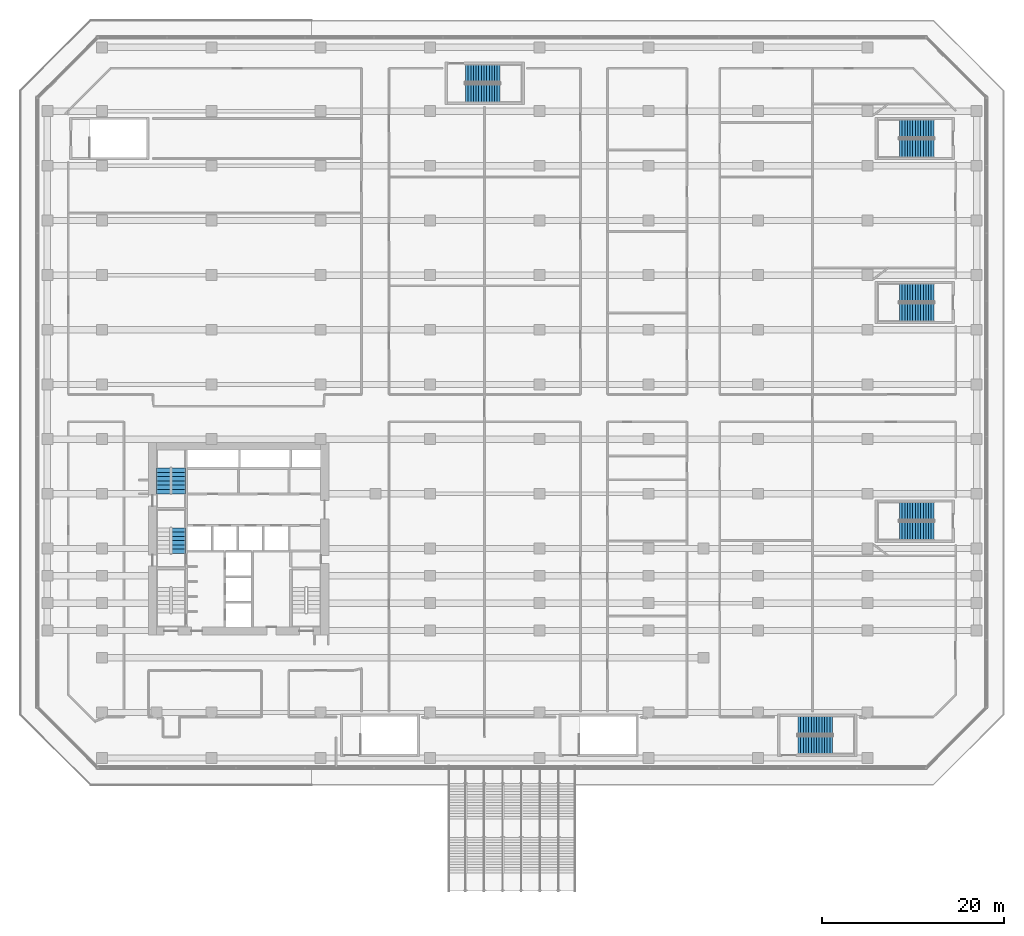
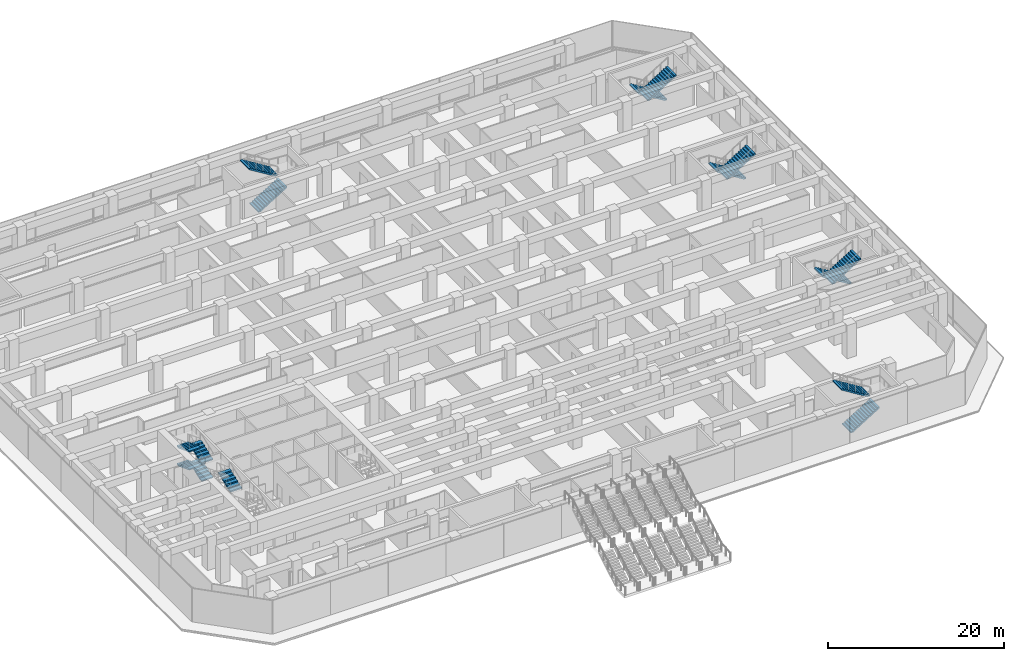
# One storey, part 34 of 40: 15 stair flights, 7 elements without a shape of their own.
"""IFC4 building model written with IfcOpenShell, lengths in metres."""

from ifc_helpers import new_model, si_unit, direction, frame, origin, place, context, subcontext, project, spatial, polyline, outline, extrude, material, type_object, element, aggregate, save


model = new_model("IFC4")

# Units and contexts
model_context = context("Model", 3, precision=1e-05, world=origin(), true_north=direction((0.0, 1.0)))
body_context = subcontext(model_context, "Body", "Model", "MODEL_VIEW")
ifc_project = project(units=[si_unit("LENGTHUNIT", "METRE"), si_unit("AREAUNIT", "SQUARE_METRE"), si_unit("VOLUMEUNIT", "CUBIC_METRE"), si_unit("PLANEANGLEUNIT", "RADIAN"), si_unit("MASSUNIT", "GRAM", prefix="KILO")], contexts=[model_context])

# Site, building, storey
site_placement = place(None, origin())
site = spatial("IfcSite", under=ifc_project, at=site_placement, CompositionType="ELEMENT")
building_placement = place(site_placement, origin())
building = spatial("IfcBuilding", under=site, at=building_placement, Name="Welwitschia Terrace Campus", CompositionType="ELEMENT")
storey_placement = place(building_placement, frame((0.0, 0.0, 6.0)))
storey = spatial("IfcBuildingStorey", under=building, at=storey_placement, Name="L01", CompositionType="ELEMENT", Elevation=6.0)

# Stair, stair flight
ifc_material_1 = material(Name="Concrete C40/50", Category="concrete")
stair_type_1 = type_object("IfcStairType", Name="Stair 28R 179 W1500", PredefinedType="HALF_TURN_STAIR", material=ifc_material_1)
stair_1_placement = place(storey_placement, origin())
stair_1 = element("IfcStair", 1, at=stair_1_placement, inside=storey, type_object=stair_type_1, Name="L01 Exit stair S3", PredefinedType="HALF_TURN_STAIR")
ifc_material_2 = material(Name="Concrete C40/50", Category="concrete")
stair_flight_type_1 = type_object("IfcStairFlightType", Name="Stair flight 28R 179 W1500", PredefinedType="STRAIGHT", material=ifc_material_2)
stair_flight_1_placement = place(storey_placement, frame((8.39990234375, 13.449951171875, 2.5), z_axis=(0.0, 0.0, 1.0), x_axis=(0.0, 1.0, 0.0)))
stair_flight_1 = element("IfcStairFlight", 2, at=stair_flight_1_placement, type_object=stair_flight_type_1, Name="S3 flight 3", NumberOfRisers=7, NumberOfTreads=6, PredefinedType="STRAIGHT", RiserHeight=0.178571429, TreadLength=0.47, context=body_context, shape_type="SweptSolid", body=[
    extrude(outline(polyline([(0.0, 0.0), (0.0, 0.178466796875), (0.469970703125, 0.178466796875), (0.469970703125, 0.357177734375), (0.93994140625, 0.357177734375), (0.93994140625, 0.53564453125), (1.409912109375, 0.53564453125), (1.409912109375, 0.71435546875), (1.8798828125, 0.71435546875), (1.8798828125, 0.892822265625), (2.35009765625, 0.892822265625), (2.35009765625, 1.071533203125), (2.820068359375, 1.071533203125), (2.820068359375, 1.25), (2.820068359375, 0.9111328125), (0.422119140625, 0.0), (0.0, 0.0)])), frame((0.0, 0.75, 0.0), z_axis=(0.0, -1.0, 0.0), x_axis=(1.0, 0.0, 0.0)), (0.0, 0.0, 1.0), 1.5),
])
aggregate(stair_1, [stair_flight_1])

# Stair, stair flights
stair_2_placement = place(storey_placement, origin())
stair_2 = element("IfcStair", 3, at=stair_2_placement, inside=storey, type_object=stair_type_1, Name="L01 Exit stair S4", PredefinedType="HALF_TURN_STAIR")
stair_flight_2_placement = place(storey_placement, frame((8.39990234375, 20.0, 0.0), z_axis=(0.0, 0.0, 1.0), x_axis=(0.0, 1.0, 0.0)))
stair_flight_2 = element("IfcStairFlight", 4, at=stair_flight_2_placement, type_object=stair_flight_type_1, Name="S4 flight 1", NumberOfRisers=7, NumberOfTreads=6, PredefinedType="STRAIGHT", RiserHeight=0.178571429, TreadLength=0.47, context=body_context, shape_type="SweptSolid", body=[
    extrude(outline(polyline([(0.0, 0.0), (0.0, 0.178466796875), (0.469970703125, 0.178466796875), (0.469970703125, 0.357177734375), (0.93994140625, 0.357177734375), (0.93994140625, 0.53564453125), (1.409912109375, 0.53564453125), (1.409912109375, 0.71435546875), (1.8798828125, 0.71435546875), (1.8798828125, 0.892822265625), (2.35009765625, 0.892822265625), (2.35009765625, 1.071533203125), (2.820068359375, 1.071533203125), (2.820068359375, 1.25), (2.820068359375, 0.9111328125), (0.422119140625, 0.0), (0.0, 0.0)])), frame((0.0, 0.75, 0.0), z_axis=(0.0, -1.0, 0.0), x_axis=(1.0, 0.0, 0.0)), (0.0, 0.0, 1.0), 1.5),
])
stair_flight_3_placement = place(storey_placement, frame((6.75, 22.820068359375, 1.25), z_axis=(0.0, 0.0, 1.0), x_axis=(0.0, -1.0, 0.0)))
stair_flight_3 = element("IfcStairFlight", 5, at=stair_flight_3_placement, type_object=stair_flight_type_1, Name="S4 flight 2", NumberOfRisers=7, NumberOfTreads=6, PredefinedType="STRAIGHT", RiserHeight=0.178571429, TreadLength=0.47, context=body_context, shape_type="SweptSolid", body=[
    extrude(outline(polyline([(0.0, 0.0), (0.0, 0.178466796875), (0.469970703125, 0.178466796875), (0.469970703125, 0.357177734375), (0.93994140625, 0.357177734375), (0.93994140625, 0.53564453125), (1.409912109375, 0.53564453125), (1.409912109375, 0.71435546875), (1.8798828125, 0.71435546875), (1.8798828125, 0.892822265625), (2.35009765625, 0.892822265625), (2.35009765625, 1.071533203125), (2.820068359375, 1.071533203125), (2.820068359375, 1.25), (2.820068359375, 0.9111328125), (0.422119140625, 0.0), (0.0, 0.0)])), frame((0.0, 0.75, 0.0), z_axis=(0.0, -1.0, 0.0), x_axis=(1.0, 0.0, 0.0)), (0.0, 0.0, 1.0), 1.5),
])
stair_flight_4_placement = place(storey_placement, frame((8.39990234375, 20.0, 2.5), z_axis=(0.0, 0.0, 1.0), x_axis=(0.0, 1.0, 0.0)))
stair_flight_4 = element("IfcStairFlight", 6, at=stair_flight_4_placement, type_object=stair_flight_type_1, Name="S4 flight 3", NumberOfRisers=7, NumberOfTreads=6, PredefinedType="STRAIGHT", RiserHeight=0.178571429, TreadLength=0.47, context=body_context, shape_type="SweptSolid", body=[
    extrude(outline(polyline([(0.0, 0.0), (0.0, 0.178466796875), (0.469970703125, 0.178466796875), (0.469970703125, 0.357177734375), (0.93994140625, 0.357177734375), (0.93994140625, 0.53564453125), (1.409912109375, 0.53564453125), (1.409912109375, 0.71435546875), (1.8798828125, 0.71435546875), (1.8798828125, 0.892822265625), (2.35009765625, 0.892822265625), (2.35009765625, 1.071533203125), (2.820068359375, 1.071533203125), (2.820068359375, 1.25), (2.820068359375, 0.9111328125), (0.422119140625, 0.0), (0.0, 0.0)])), frame((0.0, 0.75, 0.0), z_axis=(0.0, -1.0, 0.0), x_axis=(1.0, 0.0, 0.0)), (0.0, 0.0, 1.0), 1.5),
])
stair_flight_5_placement = place(storey_placement, frame((6.75, 22.820068359375, 3.75), z_axis=(0.0, 0.0, 1.0), x_axis=(0.0, -1.0, 0.0)))
stair_flight_5 = element("IfcStairFlight", 7, at=stair_flight_5_placement, type_object=stair_flight_type_1, Name="S4 flight 4", NumberOfRisers=7, NumberOfTreads=6, PredefinedType="STRAIGHT", RiserHeight=0.178571429, TreadLength=0.47, context=body_context, shape_type="SweptSolid", body=[
    extrude(outline(polyline([(0.0, 0.0), (0.0, 0.178466796875), (0.469970703125, 0.178466796875), (0.469970703125, 0.357177734375), (0.93994140625, 0.357177734375), (0.93994140625, 0.53564453125), (1.409912109375, 0.53564453125), (1.409912109375, 0.71435546875), (1.8798828125, 0.71435546875), (1.8798828125, 0.892822265625), (2.35009765625, 0.892822265625), (2.35009765625, 1.071533203125), (2.820068359375, 1.071533203125), (2.820068359375, 1.25), (2.820068359375, 0.9111328125), (0.422119140625, 0.0), (0.0, 0.0)])), frame((0.0, 0.75, 0.0), z_axis=(0.0, -1.0, 0.0), x_axis=(1.0, 0.0, 0.0)), (0.0, 0.0, 1.0), 1.5),
])
aggregate(stair_2, [stair_flight_2, stair_flight_3, stair_flight_4, stair_flight_5])

ifc_material_3 = material(Name="Concrete C40/50", Category="concrete")
stair_type_2 = type_object("IfcStairType", Name="Stair 28R 179 W2000", PredefinedType="HALF_TURN_STAIR", material=ifc_material_3)
stair_3_placement = place(storey_placement, origin())
stair_3 = element("IfcStair", 8, at=stair_3_placement, inside=storey, type_object=stair_type_2, Name="L01 Podium stair P3", PredefinedType="HALF_TURN_STAIR")
ifc_material_4 = material(Name="Concrete C40/50", Category="concrete")
stair_flight_type_2 = type_object("IfcStairFlightType", Name="Stair flight 28R 179 W2000", PredefinedType="STRAIGHT", material=ifc_material_4)
stair_flight_6_placement = place(storey_placement, frame((91.300048828125, 60.074951171875, 0.0), z_axis=(0.0, 0.0, 1.0), x_axis=(-1.0, 0.0, 0.0)))
stair_flight_6 = element("IfcStairFlight", 9, at=stair_flight_6_placement, type_object=stair_flight_type_2, Name="P3 flight 1", NumberOfRisers=14, NumberOfTreads=13, PredefinedType="STRAIGHT", RiserHeight=0.178571429, TreadLength=0.29, context=body_context, shape_type="SweptSolid", body=[
    extrude(outline(polyline([(0.0, 0.0), (0.0, 0.178466796875), (0.2900390625, 0.178466796875), (0.2900390625, 0.357177734375), (0.580078125, 0.357177734375), (0.580078125, 0.53564453125), (0.8701171875, 0.53564453125), (0.8701171875, 0.71435546875), (1.159912109375, 0.71435546875), (1.159912109375, 0.892822265625), (1.449951171875, 0.892822265625), (1.449951171875, 1.071533203125), (1.739990234375, 1.071533203125), (1.739990234375, 1.25), (2.030029296875, 1.25), (2.030029296875, 1.428466796875), (2.320068359375, 1.428466796875), (2.320068359375, 1.607177734375), (2.610107421875, 1.607177734375), (2.610107421875, 1.78564453125), (2.89990234375, 1.78564453125), (2.89990234375, 1.96435546875), (3.18994140625, 1.96435546875), (3.18994140625, 2.142822265625), (3.47998046875, 2.142822265625), (3.47998046875, 2.321533203125), (3.77001953125, 2.321533203125), (3.77001953125, 2.5), (3.77001953125, 2.1455078125), (0.285888671875, 0.0), (0.0, 0.0)])), frame((0.0, 1.0, 0.0), z_axis=(0.0, -1.0, 0.0), x_axis=(1.0, 0.0, 0.0)), (0.0, 0.0, 1.0), 2.0),
])
stair_flight_7_placement = place(storey_placement, frame((87.530029296875, 57.925048828125, 2.5), z_axis=(0.0, 0.0, 1.0), x_axis=(1.0, 0.0, 0.0)))
stair_flight_7 = element("IfcStairFlight", 10, at=stair_flight_7_placement, type_object=stair_flight_type_2, Name="P3 flight 2", NumberOfRisers=14, NumberOfTreads=13, PredefinedType="STRAIGHT", RiserHeight=0.178571429, TreadLength=0.29, context=body_context, shape_type="SweptSolid", body=[
    extrude(outline(polyline([(0.0, 0.0), (0.0, 0.178466796875), (0.2900390625, 0.178466796875), (0.2900390625, 0.357177734375), (0.580078125, 0.357177734375), (0.580078125, 0.53564453125), (0.8701171875, 0.53564453125), (0.8701171875, 0.71435546875), (1.159912109375, 0.71435546875), (1.159912109375, 0.892822265625), (1.449951171875, 0.892822265625), (1.449951171875, 1.071533203125), (1.739990234375, 1.071533203125), (1.739990234375, 1.25), (2.030029296875, 1.25), (2.030029296875, 1.428466796875), (2.320068359375, 1.428466796875), (2.320068359375, 1.607177734375), (2.610107421875, 1.607177734375), (2.610107421875, 1.78564453125), (2.89990234375, 1.78564453125), (2.89990234375, 1.96435546875), (3.18994140625, 1.96435546875), (3.18994140625, 2.142822265625), (3.47998046875, 2.142822265625), (3.47998046875, 2.321533203125), (3.77001953125, 2.321533203125), (3.77001953125, 2.5), (3.77001953125, 2.1455078125), (0.285888671875, 0.0), (0.0, 0.0)])), frame((0.0, 1.0, 0.0), z_axis=(0.0, -1.0, 0.0), x_axis=(1.0, 0.0, 0.0)), (0.0, 0.0, 1.0), 2.0),
])
aggregate(stair_3, [stair_flight_6, stair_flight_7])

stair_4_placement = place(storey_placement, origin())
stair_4 = element("IfcStair", 11, at=stair_4_placement, inside=storey, type_object=stair_type_2, Name="L01 Podium stair P5", PredefinedType="HALF_TURN_STAIR")
stair_flight_8_placement = place(storey_placement, frame((76.39990234375, -7.574951171875, 0.0), z_axis=(0.0, 0.0, 1.0), x_axis=(1.0, 0.0, 0.0)))
stair_flight_8 = element("IfcStairFlight", 12, at=stair_flight_8_placement, type_object=stair_flight_type_2, Name="P5 flight 1", NumberOfRisers=14, NumberOfTreads=13, PredefinedType="STRAIGHT", RiserHeight=0.178571429, TreadLength=0.29, context=body_context, shape_type="SweptSolid", body=[
    extrude(outline(polyline([(0.0, 0.0), (0.0, 0.178466796875), (0.2900390625, 0.178466796875), (0.2900390625, 0.357177734375), (0.580078125, 0.357177734375), (0.580078125, 0.53564453125), (0.8701171875, 0.53564453125), (0.8701171875, 0.71435546875), (1.159912109375, 0.71435546875), (1.159912109375, 0.892822265625), (1.449951171875, 0.892822265625), (1.449951171875, 1.071533203125), (1.739990234375, 1.071533203125), (1.739990234375, 1.25), (2.030029296875, 1.25), (2.030029296875, 1.428466796875), (2.320068359375, 1.428466796875), (2.320068359375, 1.607177734375), (2.610107421875, 1.607177734375), (2.610107421875, 1.78564453125), (2.89990234375, 1.78564453125), (2.89990234375, 1.96435546875), (3.18994140625, 1.96435546875), (3.18994140625, 2.142822265625), (3.47998046875, 2.142822265625), (3.47998046875, 2.321533203125), (3.77001953125, 2.321533203125), (3.77001953125, 2.5), (3.77001953125, 2.1455078125), (0.285888671875, 0.0), (0.0, 0.0)])), frame((0.0, 1.0, 0.0), z_axis=(0.0, -1.0, 0.0), x_axis=(1.0, 0.0, 0.0)), (0.0, 0.0, 1.0), 2.0),
])
stair_flight_9_placement = place(storey_placement, frame((80.169921875, -5.425048828125, 2.5), z_axis=(0.0, 0.0, 1.0), x_axis=(-1.0, 0.0, 0.0)))
stair_flight_9 = element("IfcStairFlight", 13, at=stair_flight_9_placement, type_object=stair_flight_type_2, Name="P5 flight 2", NumberOfRisers=14, NumberOfTreads=13, PredefinedType="STRAIGHT", RiserHeight=0.178571429, TreadLength=0.29, context=body_context, shape_type="SweptSolid", body=[
    extrude(outline(polyline([(0.0, 0.0), (0.0, 0.178466796875), (0.2900390625, 0.178466796875), (0.2900390625, 0.357177734375), (0.580078125, 0.357177734375), (0.580078125, 0.53564453125), (0.8701171875, 0.53564453125), (0.8701171875, 0.71435546875), (1.159912109375, 0.71435546875), (1.159912109375, 0.892822265625), (1.449951171875, 0.892822265625), (1.449951171875, 1.071533203125), (1.739990234375, 1.071533203125), (1.739990234375, 1.25), (2.030029296875, 1.25), (2.030029296875, 1.428466796875), (2.320068359375, 1.428466796875), (2.320068359375, 1.607177734375), (2.610107421875, 1.607177734375), (2.610107421875, 1.78564453125), (2.89990234375, 1.78564453125), (2.89990234375, 1.96435546875), (3.18994140625, 1.96435546875), (3.18994140625, 2.142822265625), (3.47998046875, 2.142822265625), (3.47998046875, 2.321533203125), (3.77001953125, 2.321533203125), (3.77001953125, 2.5), (3.77001953125, 2.1455078125), (0.285888671875, 0.0), (0.0, 0.0)])), frame((0.0, 1.0, 0.0), z_axis=(0.0, -1.0, 0.0), x_axis=(1.0, 0.0, 0.0)), (0.0, 0.0, 1.0), 2.0),
])
aggregate(stair_4, [stair_flight_8, stair_flight_9])

stair_5_placement = place(storey_placement, origin())
stair_5 = element("IfcStair", 14, at=stair_5_placement, inside=storey, type_object=stair_type_2, Name="L01 Podium stair P6", PredefinedType="HALF_TURN_STAIR")
stair_flight_10_placement = place(storey_placement, frame((91.300048828125, 18.074951171875, 0.0), z_axis=(0.0, 0.0, 1.0), x_axis=(-1.0, 0.0, 0.0)))
stair_flight_10 = element("IfcStairFlight", 15, at=stair_flight_10_placement, type_object=stair_flight_type_2, Name="P6 flight 1", NumberOfRisers=14, NumberOfTreads=13, PredefinedType="STRAIGHT", RiserHeight=0.178571429, TreadLength=0.29, context=body_context, shape_type="SweptSolid", body=[
    extrude(outline(polyline([(0.0, 0.0), (0.0, 0.178466796875), (0.2900390625, 0.178466796875), (0.2900390625, 0.357177734375), (0.580078125, 0.357177734375), (0.580078125, 0.53564453125), (0.8701171875, 0.53564453125), (0.8701171875, 0.71435546875), (1.159912109375, 0.71435546875), (1.159912109375, 0.892822265625), (1.449951171875, 0.892822265625), (1.449951171875, 1.071533203125), (1.739990234375, 1.071533203125), (1.739990234375, 1.25), (2.030029296875, 1.25), (2.030029296875, 1.428466796875), (2.320068359375, 1.428466796875), (2.320068359375, 1.607177734375), (2.610107421875, 1.607177734375), (2.610107421875, 1.78564453125), (2.89990234375, 1.78564453125), (2.89990234375, 1.96435546875), (3.18994140625, 1.96435546875), (3.18994140625, 2.142822265625), (3.47998046875, 2.142822265625), (3.47998046875, 2.321533203125), (3.77001953125, 2.321533203125), (3.77001953125, 2.5), (3.77001953125, 2.1455078125), (0.285888671875, 0.0), (0.0, 0.0)])), frame((0.0, 1.0, 0.0), z_axis=(0.0, -1.0, 0.0), x_axis=(1.0, 0.0, 0.0)), (0.0, 0.0, 1.0), 2.0),
])
stair_flight_11_placement = place(storey_placement, frame((87.530029296875, 15.925048828125, 2.5), z_axis=(0.0, 0.0, 1.0), x_axis=(1.0, 0.0, 0.0)))
stair_flight_11 = element("IfcStairFlight", 16, at=stair_flight_11_placement, type_object=stair_flight_type_2, Name="P6 flight 2", NumberOfRisers=14, NumberOfTreads=13, PredefinedType="STRAIGHT", RiserHeight=0.178571429, TreadLength=0.29, context=body_context, shape_type="SweptSolid", body=[
    extrude(outline(polyline([(0.0, 0.0), (0.0, 0.178466796875), (0.2900390625, 0.178466796875), (0.2900390625, 0.357177734375), (0.580078125, 0.357177734375), (0.580078125, 0.53564453125), (0.8701171875, 0.53564453125), (0.8701171875, 0.71435546875), (1.159912109375, 0.71435546875), (1.159912109375, 0.892822265625), (1.449951171875, 0.892822265625), (1.449951171875, 1.071533203125), (1.739990234375, 1.071533203125), (1.739990234375, 1.25), (2.030029296875, 1.25), (2.030029296875, 1.428466796875), (2.320068359375, 1.428466796875), (2.320068359375, 1.607177734375), (2.610107421875, 1.607177734375), (2.610107421875, 1.78564453125), (2.89990234375, 1.78564453125), (2.89990234375, 1.96435546875), (3.18994140625, 1.96435546875), (3.18994140625, 2.142822265625), (3.47998046875, 2.142822265625), (3.47998046875, 2.321533203125), (3.77001953125, 2.321533203125), (3.77001953125, 2.5), (3.77001953125, 2.1455078125), (0.285888671875, 0.0), (0.0, 0.0)])), frame((0.0, 1.0, 0.0), z_axis=(0.0, -1.0, 0.0), x_axis=(1.0, 0.0, 0.0)), (0.0, 0.0, 1.0), 2.0),
])
aggregate(stair_5, [stair_flight_10, stair_flight_11])

stair_6_placement = place(storey_placement, origin())
stair_6 = element("IfcStair", 17, at=stair_6_placement, inside=storey, type_object=stair_type_2, Name="L01 Podium stair P7", PredefinedType="HALF_TURN_STAIR")
stair_flight_12_placement = place(storey_placement, frame((39.89990234375, 63.97509765625, 0.0), z_axis=(0.0, 0.0, 1.0), x_axis=(1.0, 0.0, 0.0)))
stair_flight_12 = element("IfcStairFlight", 18, at=stair_flight_12_placement, type_object=stair_flight_type_2, Name="P7 flight 1", NumberOfRisers=14, NumberOfTreads=13, PredefinedType="STRAIGHT", RiserHeight=0.178571429, TreadLength=0.29, context=body_context, shape_type="SweptSolid", body=[
    extrude(outline(polyline([(0.0, 0.0), (0.0, 0.178466796875), (0.2900390625, 0.178466796875), (0.2900390625, 0.357177734375), (0.580078125, 0.357177734375), (0.580078125, 0.53564453125), (0.8701171875, 0.53564453125), (0.8701171875, 0.71435546875), (1.159912109375, 0.71435546875), (1.159912109375, 0.892822265625), (1.449951171875, 0.892822265625), (1.449951171875, 1.071533203125), (1.739990234375, 1.071533203125), (1.739990234375, 1.25), (2.030029296875, 1.25), (2.030029296875, 1.428466796875), (2.320068359375, 1.428466796875), (2.320068359375, 1.607177734375), (2.610107421875, 1.607177734375), (2.610107421875, 1.78564453125), (2.89990234375, 1.78564453125), (2.89990234375, 1.96435546875), (3.18994140625, 1.96435546875), (3.18994140625, 2.142822265625), (3.47998046875, 2.142822265625), (3.47998046875, 2.321533203125), (3.77001953125, 2.321533203125), (3.77001953125, 2.5), (3.77001953125, 2.1455078125), (0.285888671875, 0.0), (0.0, 0.0)])), frame((0.0, 1.0, 0.0), z_axis=(0.0, -1.0, 0.0), x_axis=(1.0, 0.0, 0.0)), (0.0, 0.0, 1.0), 2.0),
])
stair_flight_13_placement = place(storey_placement, frame((43.669921875, 66.125, 2.5), z_axis=(0.0, 0.0, 1.0), x_axis=(-1.0, 0.0, 0.0)))
stair_flight_13 = element("IfcStairFlight", 19, at=stair_flight_13_placement, type_object=stair_flight_type_2, Name="P7 flight 2", NumberOfRisers=14, NumberOfTreads=13, PredefinedType="STRAIGHT", RiserHeight=0.178571429, TreadLength=0.29, context=body_context, shape_type="SweptSolid", body=[
    extrude(outline(polyline([(0.0, 0.0), (0.0, 0.178466796875), (0.2900390625, 0.178466796875), (0.2900390625, 0.357177734375), (0.580078125, 0.357177734375), (0.580078125, 0.53564453125), (0.8701171875, 0.53564453125), (0.8701171875, 0.71435546875), (1.159912109375, 0.71435546875), (1.159912109375, 0.892822265625), (1.449951171875, 0.892822265625), (1.449951171875, 1.071533203125), (1.739990234375, 1.071533203125), (1.739990234375, 1.25), (2.030029296875, 1.25), (2.030029296875, 1.428466796875), (2.320068359375, 1.428466796875), (2.320068359375, 1.607177734375), (2.610107421875, 1.607177734375), (2.610107421875, 1.78564453125), (2.89990234375, 1.78564453125), (2.89990234375, 1.96435546875), (3.18994140625, 1.96435546875), (3.18994140625, 2.142822265625), (3.47998046875, 2.142822265625), (3.47998046875, 2.321533203125), (3.77001953125, 2.321533203125), (3.77001953125, 2.5), (3.77001953125, 2.1455078125), (0.285888671875, 0.0), (0.0, 0.0)])), frame((0.0, 1.0, 0.0), z_axis=(0.0, -1.0, 0.0), x_axis=(1.0, 0.0, 0.0)), (0.0, 0.0, 1.0), 2.0),
])
aggregate(stair_6, [stair_flight_12, stair_flight_13])

stair_7_placement = place(storey_placement, origin())
stair_7 = element("IfcStair", 20, at=stair_7_placement, inside=storey, type_object=stair_type_2, Name="L01 Podium stair P8", PredefinedType="HALF_TURN_STAIR")
stair_flight_14_placement = place(storey_placement, frame((91.300048828125, 42.074951171875, 0.0), z_axis=(0.0, 0.0, 1.0), x_axis=(-1.0, 0.0, 0.0)))
stair_flight_14 = element("IfcStairFlight", 21, at=stair_flight_14_placement, type_object=stair_flight_type_2, Name="P8 flight 1", NumberOfRisers=14, NumberOfTreads=13, PredefinedType="STRAIGHT", RiserHeight=0.178571429, TreadLength=0.29, context=body_context, shape_type="SweptSolid", body=[
    extrude(outline(polyline([(0.0, 0.0), (0.0, 0.178466796875), (0.2900390625, 0.178466796875), (0.2900390625, 0.357177734375), (0.580078125, 0.357177734375), (0.580078125, 0.53564453125), (0.8701171875, 0.53564453125), (0.8701171875, 0.71435546875), (1.159912109375, 0.71435546875), (1.159912109375, 0.892822265625), (1.449951171875, 0.892822265625), (1.449951171875, 1.071533203125), (1.739990234375, 1.071533203125), (1.739990234375, 1.25), (2.030029296875, 1.25), (2.030029296875, 1.428466796875), (2.320068359375, 1.428466796875), (2.320068359375, 1.607177734375), (2.610107421875, 1.607177734375), (2.610107421875, 1.78564453125), (2.89990234375, 1.78564453125), (2.89990234375, 1.96435546875), (3.18994140625, 1.96435546875), (3.18994140625, 2.142822265625), (3.47998046875, 2.142822265625), (3.47998046875, 2.321533203125), (3.77001953125, 2.321533203125), (3.77001953125, 2.5), (3.77001953125, 2.1455078125), (0.285888671875, 0.0), (0.0, 0.0)])), frame((0.0, 1.0, 0.0), z_axis=(0.0, -1.0, 0.0), x_axis=(1.0, 0.0, 0.0)), (0.0, 0.0, 1.0), 2.0),
])
stair_flight_15_placement = place(storey_placement, frame((87.530029296875, 39.925048828125, 2.5), z_axis=(0.0, 0.0, 1.0), x_axis=(1.0, 0.0, 0.0)))
stair_flight_15 = element("IfcStairFlight", 22, at=stair_flight_15_placement, type_object=stair_flight_type_2, Name="P8 flight 2", NumberOfRisers=14, NumberOfTreads=13, PredefinedType="STRAIGHT", RiserHeight=0.178571429, TreadLength=0.29, context=body_context, shape_type="SweptSolid", body=[
    extrude(outline(polyline([(0.0, 0.0), (0.0, 0.178466796875), (0.2900390625, 0.178466796875), (0.2900390625, 0.357177734375), (0.580078125, 0.357177734375), (0.580078125, 0.53564453125), (0.8701171875, 0.53564453125), (0.8701171875, 0.71435546875), (1.159912109375, 0.71435546875), (1.159912109375, 0.892822265625), (1.449951171875, 0.892822265625), (1.449951171875, 1.071533203125), (1.739990234375, 1.071533203125), (1.739990234375, 1.25), (2.030029296875, 1.25), (2.030029296875, 1.428466796875), (2.320068359375, 1.428466796875), (2.320068359375, 1.607177734375), (2.610107421875, 1.607177734375), (2.610107421875, 1.78564453125), (2.89990234375, 1.78564453125), (2.89990234375, 1.96435546875), (3.18994140625, 1.96435546875), (3.18994140625, 2.142822265625), (3.47998046875, 2.142822265625), (3.47998046875, 2.321533203125), (3.77001953125, 2.321533203125), (3.77001953125, 2.5), (3.77001953125, 2.1455078125), (0.285888671875, 0.0), (0.0, 0.0)])), frame((0.0, 1.0, 0.0), z_axis=(0.0, -1.0, 0.0), x_axis=(1.0, 0.0, 0.0)), (0.0, 0.0, 1.0), 2.0),
])
aggregate(stair_7, [stair_flight_14, stair_flight_15])

save(model, "model.ifc")
